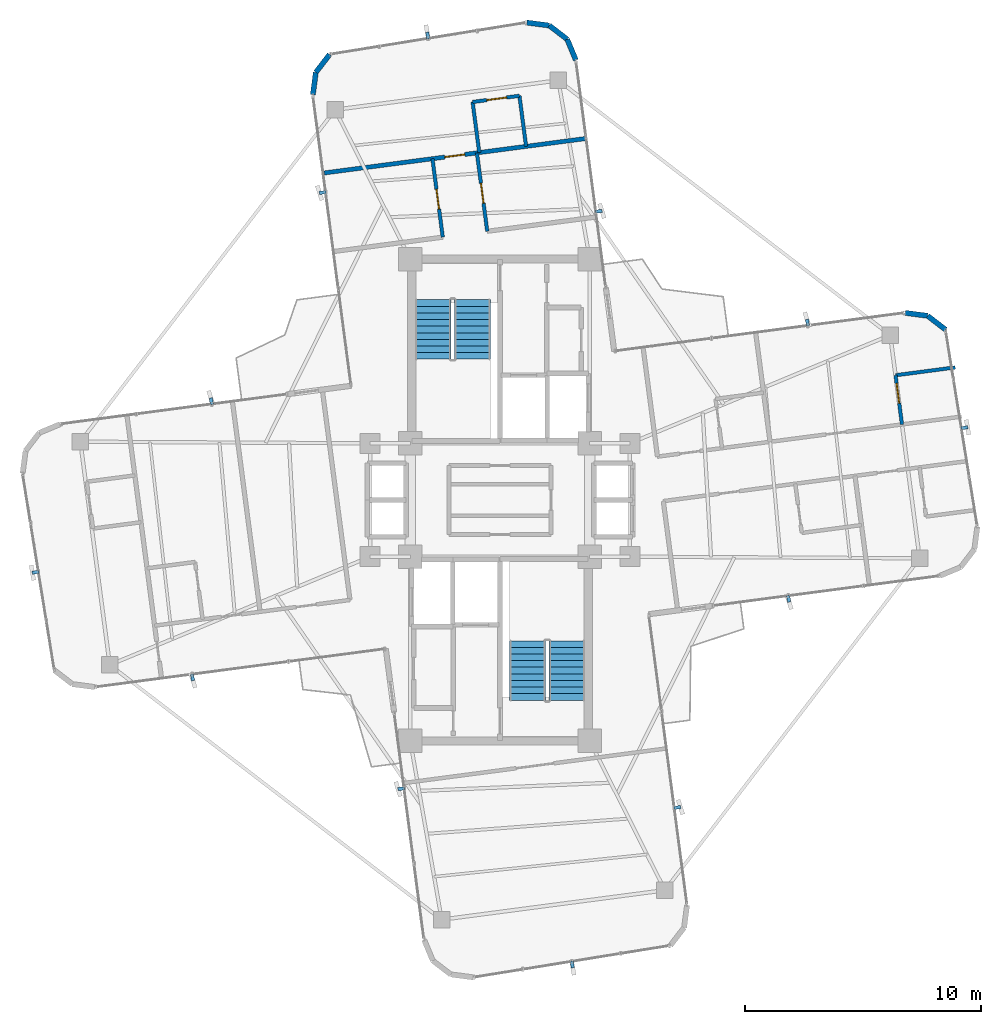
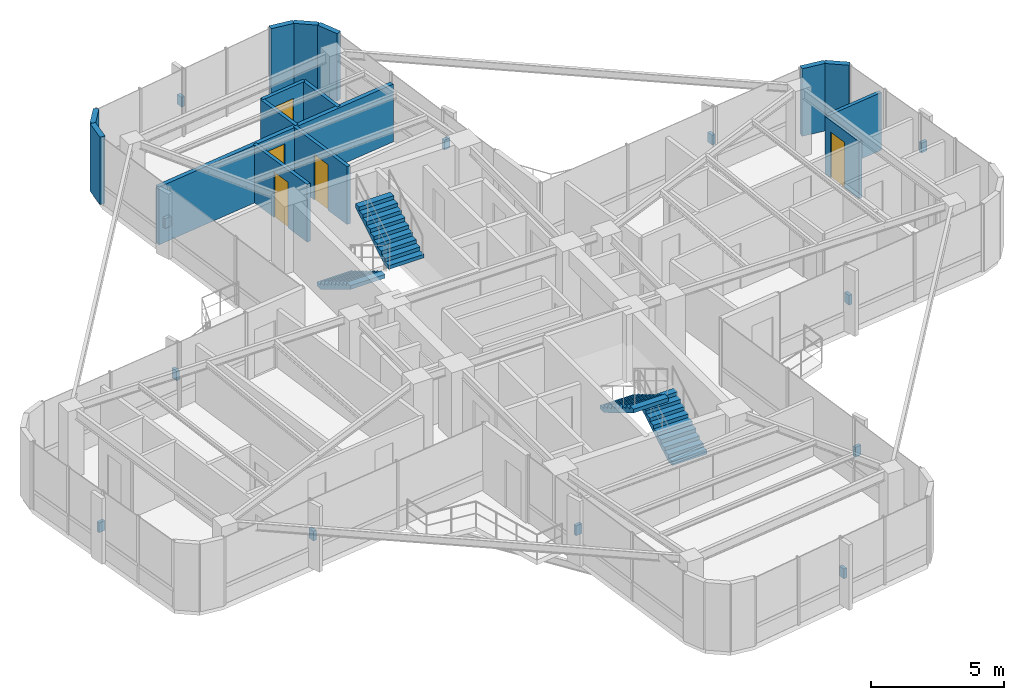
# One storey, part 21 of 22: 15 walls, 12 discrete accessories, 5 doors, 4 stair flights, 5 openings, 2 elements without a shape of their own.
"""IFC4 building model written with IfcOpenShell, lengths in metres."""

from ifc_helpers import new_model, si_unit, direction, frame, frame_2d, origin, origin_2d, place, context, subcontext, project, spatial, polyline, rectangle, outline, extrude, source, transform, mapped, material, layer, layer_set, type_object, element, fill, aggregate, save


model = new_model("IFC4")

# Units and contexts
model_context = context("Model", 3, precision=1e-05, world=origin(), true_north=direction((0.0, 1.0)))
body_context = subcontext(model_context, "Body", "Model", "MODEL_VIEW")
ifc_project = project(units=[si_unit("LENGTHUNIT", "METRE"), si_unit("AREAUNIT", "SQUARE_METRE"), si_unit("VOLUMEUNIT", "CUBIC_METRE"), si_unit("PLANEANGLEUNIT", "RADIAN"), si_unit("MASSUNIT", "GRAM", prefix="KILO")], contexts=[model_context])

# Site, building, storey
site_placement = place(None, origin())
site = spatial("IfcSite", under=ifc_project, at=site_placement, CompositionType="ELEMENT")
building_placement = place(site_placement, origin())
building = spatial("IfcBuilding", under=site, at=building_placement, Name="Sahyath Konkavel Grand Hotel", CompositionType="ELEMENT")
storey_placement = place(building_placement, frame((0.0, 0.0, 244.5)))
storey = spatial("IfcBuildingStorey", under=building, at=storey_placement, Name="L68", CompositionType="ELEMENT", Elevation=244.5)

# Walls
ifc_material_1 = material(Name="Warm Buff Sandstone Insulated Concrete C40/50", Category="masonry")
ifc_layer_1 = layer(ifc_material_1, 0.219970703125)
ifc_layer_set_1 = layer_set([ifc_layer_1], Name="Warm Buff Sandstone Insulated Concrete C40/50")
wall_type_1 = type_object("IfcWallType", Name="WLL-BALC-THRESH", PredefinedType="STANDARD", material=ifc_layer_set_1)
for number, where, z_axis, x_axis, name in (
    (1, (18.86474609375, 7.216064453125, 0.0), (0.0, 0.0, 1.0), (-0.793343685778, 0.608774010809, 0.0), "L68 Rounded Corner Sandstone Pier 5"),
    (2, (18.10498046875, 7.799072265625, 0.0), (0.0, 0.0, 1.0), (-0.991444747987, 0.130527053476, 0.0), "L68 Rounded Corner Sandstone Pier 6"),
    (3, (3.2138671875, 18.621826171875, 0.0), (0.0, 0.0, 1.0), (-0.382659506909, 0.923889442397, 0.0), "L68 Rounded Corner Sandstone Pier 9"),
    (4, (2.847412109375, 19.506591796875, 0.0), (0.0, 0.0, 1.0), (-0.793343685778, 0.608774010809, 0.0), "L68 Rounded Corner Sandstone Pier 10"),
    (5, (2.087646484375, 20.089599609375, 0.0), (0.0, 0.0, 1.0), (-0.991444747987, 0.130527053476, 0.0), "L68 Rounded Corner Sandstone Pier 11"),
    (6, (-7.216064453125, 18.86474609375, 0.0), (0.0, 0.0, 1.0), (-0.608774010809, -0.793343685778, 0.0), "L68 Rounded Corner Sandstone Pier 13"),
    (7, (-7.799072265625, 18.10498046875, 0.0), (0.0, 0.0, 1.0), (-0.130527053476, -0.991444747987, 0.0), "L68 Rounded Corner Sandstone Pier 14"),
):
    element("IfcWall", number, at=place(storey_placement, frame(where, z_axis=z_axis, x_axis=x_axis)), inside=storey, type_object=wall_type_1, Name=name, PredefinedType="STANDARD", context=body_context, shape_type="SweptSolid", body=[
        extrude(rectangle(XDim=0.957763671875, YDim=0.219970703125, at=frame_2d((0.47900390625, 0.0))), origin(), (0.0, 0.0, 1.0), 3.110107421875),
    ])

# Wall, opening, door
ifc_material_2 = material(Name="Twin-Stud Acoustic Gypsum Plasterboard Partition")
ifc_layer_2 = layer(ifc_material_2, 0.179931640625)
ifc_layer_set_2 = layer_set([ifc_layer_2], Name="Twin-Stud Acoustic Gypsum Plasterboard Partition")
wall_type_2 = type_object("IfcWallType", Name="WLL-DEMISE-180", PredefinedType="PARTITIONING", material=ifc_layer_set_2)
wall_1_placement = place(storey_placement, frame((3.6005859375, 15.30078125, 0.0), z_axis=(0.0, 0.0, 1.0), x_axis=(-0.991446382373, -0.130514638561, 0.0)))
wall_1 = element("IfcWall", 8, at=wall_1_placement, inside=storey, type_object=wall_type_2, Name="L68 Partition N-NTIP-END", PredefinedType="PARTITIONING", context=body_context, shape_type="SweptSolid", body=[
    extrude(rectangle(XDim=11.1337890625, YDim=0.179931640625, at=frame_2d((5.56689453125, 0.0))), origin(), (0.0, 0.0, 1.0), 2.659912109375),
])
opening_1_placement = place(wall_1_placement, frame((5.14208984375, 0.0, 0.0)))
opening_1 = element("IfcOpeningElement", 9, at=opening_1_placement, cuts=wall_1, Name="Opening D-F06D", PredefinedType="OPENING", context=body_context, shape_type="SweptSolid", body=[
    extrude(rectangle(XDim=0.85009765625, YDim=2.10009765625, at=frame_2d((0.425048828125, 1.050048828125))), frame((0.0, 0.10009765625, 0.0), z_axis=(0.0, -1.0, 0.0), x_axis=(1.0, 0.0, 0.0)), (0.0, 0.0, 1.0), 0.199951171875),
])
ifc_material_3 = material(Name="Fire-Rated Shaft Access Door")
door_type_1 = type_object("IfcDoorType", Name="DR-FD60-850", OperationType="NOTDEFINED", PredefinedType="DOOR", material=ifc_material_3)
shared_shape_1 = source(origin(), body_context, "Body", "SweptSolid", [
    extrude(rectangle(XDim=0.85009765625, YDim=0.050048828125, at=origin_2d()), origin(), (0.0, 0.0, 1.0), 2.10009765625),
])
door_1_placement = place(opening_1_placement, frame((0.425048828125, 0.0, 0.0)))
door_1 = element("IfcDoor", 10, at=door_1_placement, inside=storey, type_object=door_type_1, Name="L68 Door N-NTIP-ED", OperationType="SINGLE_SWING_RIGHT", OverallHeight=2.10009765625, OverallWidth=0.85009765625, PredefinedType="DOOR", context=body_context, shape_type="MappedRepresentation", body=[
    mapped(shared_shape_1, transform((0.0, 0.0, 0.0), scale=1.0)),
])
fill(opening_1, door_1)

ifc_material_4 = material(Name="Fire-Rated Gypsum Plasterboard Partition")
ifc_layer_3 = layer(ifc_material_4, 0.14990234375)
ifc_layer_set_3 = layer_set([ifc_layer_3], Name="Fire-Rated Gypsum Plasterboard Partition")
wall_type_3 = type_object("IfcWallType", Name="WLL-PART-150", PredefinedType="PARTITIONING", material=ifc_layer_set_3)
wall_2_placement = place(storey_placement, frame((17.02099609375, 3.19921875, 0.0), z_axis=(0.0, 0.0, 1.0), x_axis=(-0.130457520295, 0.991453899785, 0.0)))
wall_2 = element("IfcWall", 11, at=wall_2_placement, inside=storey, type_object=wall_type_3, Name="L68 Partition E-E2L-BS", PredefinedType="PARTITIONING", context=body_context, shape_type="SweptSolid", body=[
    extrude(rectangle(XDim=2.099853515625, YDim=0.14990234375, at=frame_2d((1.0498046875, 0.0))), origin(), (0.0, 0.0, 1.0), 2.6298828125),
])
opening_2_placement = place(wall_2_placement, frame((0.89990234375, 0.0, 0.0)))
opening_2 = element("IfcOpeningElement", 12, at=opening_2_placement, cuts=wall_2, Name="Opening D-BT85", PredefinedType="OPENING", context=body_context, shape_type="SweptSolid", body=[
    extrude(rectangle(XDim=0.85009765625, YDim=2.10009765625, at=frame_2d((0.425048828125, 1.050048828125))), frame((0.0, 0.0849609375, 0.0), z_axis=(0.0, -1.0, 0.0), x_axis=(1.0, 0.0, 0.0)), (0.0, 0.0, 1.0), 0.169921875),
])
ifc_material_5 = material(Name="Moisture-Resistant Teak Bathroom Door")
door_type_2 = type_object("IfcDoorType", Name="DR-BATH-850", OperationType="NOTDEFINED", PredefinedType="DOOR", material=ifc_material_5)
door_2_placement = place(opening_2_placement, frame((0.425048828125, 0.0, 0.0)))
door_2 = element("IfcDoor", 13, at=door_2_placement, inside=storey, type_object=door_type_2, Name="L68 Door E-E2L-BD", OperationType="SINGLE_SWING_LEFT", OverallHeight=2.10009765625, OverallWidth=0.85009765625, PredefinedType="DOOR", context=body_context, shape_type="MappedRepresentation", body=[
    mapped(shared_shape_1, transform((0.0, 0.0, 0.0), scale=1.0)),
])
fill(opening_2, door_2)

# Wall
wall_3_placement = place(storey_placement, frame((16.7470703125, 5.281005859375, 0.0), z_axis=(0.0, 0.0, 1.0), x_axis=(0.99143571012, 0.130595684076, 0.0)))
element("IfcWall", 14, at=wall_3_placement, inside=storey, type_object=wall_type_3, Name="L68 Partition E-E2L-BF", PredefinedType="PARTITIONING", context=body_context, shape_type="SweptSolid", body=[
    extrude(rectangle(XDim=2.5498046875, YDim=0.14990234375, at=frame_2d((1.27490234375, 0.0))), origin(), (0.0, 0.0, 1.0), 2.659912109375),
])

# Wall, opening, door
wall_4_placement = place(storey_placement, frame((-2.42333984375, 11.12890625, 0.0), z_axis=(0.0, 0.0, 1.0), x_axis=(-0.130526150873, 0.991444866817, 0.0)))
wall_4 = element("IfcWall", 15, at=wall_4_placement, inside=storey, type_object=wall_type_3, Name="L68 Partition N-CL", PredefinedType="PARTITIONING", context=body_context, shape_type="SweptSolid", body=[
    extrude(rectangle(XDim=3.349853515625, YDim=0.14990234375, at=frame_2d((1.6748046875, 0.0))), origin(), (0.0, 0.0, 1.0), 2.659912109375),
])
opening_3_placement = place(wall_4_placement, frame((1.199951171875, 0.0, 0.0)))
opening_3 = element("IfcOpeningElement", 16, at=opening_3_placement, cuts=wall_4, Name="Opening D-F06D", PredefinedType="OPENING", context=body_context, shape_type="SweptSolid", body=[
    extrude(rectangle(XDim=0.85009765625, YDim=2.10009765625, at=frame_2d((0.425048828125, 1.050048828125))), frame((0.0, 0.0849609375, 0.0), z_axis=(0.0, -1.0, 0.0), x_axis=(1.0, 0.0, 0.0)), (0.0, 0.0, 1.0), 0.169921875),
])
door_3_placement = place(opening_3_placement, frame((0.425048828125, 0.0, 0.0)))
door_3 = element("IfcDoor", 17, at=door_3_placement, inside=storey, type_object=door_type_1, Name="L68 Door N-NS3L-D", OperationType="SINGLE_SWING_LEFT", OverallHeight=2.10009765625, OverallWidth=0.85009765625, PredefinedType="DOOR", context=body_context, shape_type="MappedRepresentation", body=[
    mapped(shared_shape_1, transform((0.0, 0.0, 0.0), scale=1.0)),
])
fill(opening_3, door_3)

wall_5_placement = place(storey_placement, frame((-0.53955078125, 11.376953125, 0.0), z_axis=(0.0, 0.0, 1.0), x_axis=(-0.130526150873, 0.991444866817, 0.0)))
wall_5 = element("IfcWall", 18, at=wall_5_placement, inside=storey, type_object=wall_type_3, Name="L68 Partition N-CR", PredefinedType="PARTITIONING", context=body_context, shape_type="SweptSolid", body=[
    extrude(rectangle(XDim=3.349853515625, YDim=0.14990234375, at=frame_2d((1.6748046875, 0.0))), origin(), (0.0, 0.0, 1.0), 2.659912109375),
])
opening_4_placement = place(wall_5_placement, frame((1.199951171875, 0.0, 0.0)))
opening_4 = element("IfcOpeningElement", 19, at=opening_4_placement, cuts=wall_5, Name="Opening D-F06D", PredefinedType="OPENING", context=body_context, shape_type="SweptSolid", body=[
    extrude(rectangle(XDim=0.85009765625, YDim=2.10009765625, at=frame_2d((0.425048828125, 1.050048828125))), frame((0.0, 0.0849609375, 0.0), z_axis=(0.0, -1.0, 0.0), x_axis=(1.0, 0.0, 0.0)), (0.0, 0.0, 1.0), 0.169921875),
])
door_4_placement = place(opening_4_placement, frame((0.425048828125, 0.0, 0.0)))
door_4 = element("IfcDoor", 20, at=door_4_placement, inside=storey, type_object=door_type_1, Name="L68 Door N-NS3R-D", OperationType="SINGLE_SWING_RIGHT", OverallHeight=2.10009765625, OverallWidth=0.85009765625, PredefinedType="DOOR", context=body_context, shape_type="MappedRepresentation", body=[
    mapped(shared_shape_1, transform((0.0, 0.0, 0.0), scale=1.0)),
])
fill(opening_4, door_4)

# Walls
for number, where, z_axis, x_axis, name in (
    (21, (-0.877685546875, 14.711181640625, 0.0), (0.0, 0.0, 1.0), (-0.130542222659, 0.991442750795, 0.0), "L68 Partition N-NTIP-BN"),
    (22, (1.105224609375, 14.972412109375, 0.0), (0.0, 0.0, 1.0), (-0.130542222659, 0.991442750795, 0.0), "L68 Partition N-NTIP-BS"),
):
    element("IfcWall", number, at=place(storey_placement, frame(where, z_axis=z_axis, x_axis=x_axis)), inside=storey, type_object=wall_type_3, Name=name, PredefinedType="PARTITIONING", context=body_context, shape_type="SweptSolid", body=[
        extrude(rectangle(XDim=2.16015625, YDim=0.14990234375, at=frame_2d((1.080078125, 0.0))), origin(), (0.0, 0.0, 1.0), 2.659912109375),
    ])

# Wall, opening, door
wall_6_placement = place(storey_placement, frame((0.8232421875, 17.114013671875, 0.0), z_axis=(0.0, 0.0, 1.0), x_axis=(-0.991433509034, -0.130612392842, 0.0)))
wall_6 = element("IfcWall", 23, at=wall_6_placement, inside=storey, type_object=wall_type_3, Name="L68 Partition N-NTIP-BE", PredefinedType="PARTITIONING", context=body_context, shape_type="SweptSolid", body=[
    extrude(rectangle(XDim=2.0, YDim=0.14990234375, at=frame_2d((1.0, 0.0))), origin(), (0.0, 0.0, 1.0), 2.659912109375),
])
opening_5_placement = place(wall_6_placement, frame((0.550048828125, 0.0, 0.0)))
opening_5 = element("IfcOpeningElement", 24, at=opening_5_placement, cuts=wall_6, Name="Opening D-BT85", PredefinedType="OPENING", context=body_context, shape_type="SweptSolid", body=[
    extrude(rectangle(XDim=0.85009765625, YDim=2.10009765625, at=frame_2d((0.425048828125, 1.050048828125))), frame((0.0, 0.0849609375, 0.0), z_axis=(0.0, -1.0, 0.0), x_axis=(1.0, 0.0, 0.0)), (0.0, 0.0, 1.0), 0.169921875),
])
door_5_placement = place(opening_5_placement, frame((0.425048828125, 0.0, 0.0)))
door_5 = element("IfcDoor", 25, at=door_5_placement, inside=storey, type_object=door_type_2, Name="L68 Door N-NTIP-BD", OperationType="SINGLE_SWING_LEFT", OverallHeight=2.10009765625, OverallWidth=0.85009765625, PredefinedType="DOOR", context=body_context, shape_type="MappedRepresentation", body=[
    mapped(shared_shape_1, transform((0.0, 0.0, 0.0), scale=1.0)),
])
fill(opening_5, door_5)

# Stair, stair flights
ifc_material_6 = material(Name="Concrete C40/50", Category="concrete")
stair_type = type_object("IfcStairType", Name="STR-ST16-335", PredefinedType="HALF_TURN_STAIR", material=ifc_material_6)
stair_1_placement = place(storey_placement, origin())
stair_1 = element("IfcStair", 26, at=stair_1_placement, inside=storey, type_object=stair_type, Name="L68 North Core Smokeproof Exit Stair ST-1", PredefinedType="HALF_TURN_STAIR")
stair_flight_type = type_object("IfcStairFlightType", Name="STF-ST16-335", PredefinedType="STRAIGHT", material=ifc_material_6)
stair_flight_1_placement = place(storey_placement, frame((-2.840087890625, 8.47998046875, 0.0), z_axis=(0.0, 0.0, 1.0), x_axis=(0.0, -1.0, 0.0)))
stair_flight_1 = element("IfcStairFlight", 27, at=stair_flight_1_placement, type_object=stair_flight_type, Name="ST-1 flight 1", NumberOfRisers=10, NumberOfTreads=9, PredefinedType="STRAIGHT", RiserHeight=0.1675, TreadLength=0.28, context=body_context, shape_type="SweptSolid", body=[
    extrude(outline(polyline([(0.0, 0.0), (0.0, 0.16748046875), (0.280029296875, 0.16748046875), (0.280029296875, 0.3349609375), (0.56005859375, 0.3349609375), (0.56005859375, 0.50244140625), (0.840087890625, 0.50244140625), (0.840087890625, 0.669921875), (1.1201171875, 0.669921875), (1.1201171875, 0.83740234375), (1.39990234375, 0.83740234375), (1.39990234375, 1.0048828125), (1.679931640625, 1.0048828125), (1.679931640625, 1.172607421875), (1.9599609375, 1.172607421875), (1.9599609375, 1.340087890625), (2.239990234375, 1.340087890625), (2.239990234375, 1.507568359375), (2.52001953125, 1.507568359375), (2.52001953125, 1.675048828125), (2.52001953125, 1.332763671875), (0.2919921875, 0.0), (0.0, 0.0)])), frame((0.0, 0.760009765625, 0.0), z_axis=(0.0, -1.0, 0.0), x_axis=(1.0, 0.0, 0.0)), (0.0, 0.0, 1.0), 1.52001953125),
])
stair_flight_2_placement = place(storey_placement, frame((-1.159912109375, 5.9599609375, 1.675048828125), z_axis=(0.0, 0.0, 1.0), x_axis=(0.0, 1.0, 0.0)))
stair_flight_2 = element("IfcStairFlight", 28, at=stair_flight_2_placement, type_object=stair_flight_type, Name="ST-1 flight 2", NumberOfRisers=10, NumberOfTreads=9, PredefinedType="STRAIGHT", RiserHeight=0.1675, TreadLength=0.28, context=body_context, shape_type="SweptSolid", body=[
    extrude(outline(polyline([(0.0, 0.0), (0.0, 0.16748046875), (0.280029296875, 0.16748046875), (0.280029296875, 0.3349609375), (0.56005859375, 0.3349609375), (0.56005859375, 0.50244140625), (0.840087890625, 0.50244140625), (0.840087890625, 0.669921875), (1.1201171875, 0.669921875), (1.1201171875, 0.83740234375), (1.39990234375, 0.83740234375), (1.39990234375, 1.0048828125), (1.679931640625, 1.0048828125), (1.679931640625, 1.172607421875), (1.9599609375, 1.172607421875), (1.9599609375, 1.340087890625), (2.239990234375, 1.340087890625), (2.239990234375, 1.507568359375), (2.52001953125, 1.507568359375), (2.52001953125, 1.675048828125), (2.52001953125, 1.332763671875), (0.2919921875, 0.0), (0.0, 0.0)])), frame((0.0, 0.760009765625, 0.0), z_axis=(0.0, -1.0, 0.0), x_axis=(1.0, 0.0, 0.0)), (0.0, 0.0, 1.0), 1.52001953125),
])
aggregate(stair_1, [stair_flight_1, stair_flight_2])

stair_2_placement = place(storey_placement, origin())
stair_2 = element("IfcStair", 29, at=stair_2_placement, inside=storey, type_object=stair_type, Name="L68 South Core Smokeproof Exit Stair ST-2", PredefinedType="HALF_TURN_STAIR")
stair_flight_3_placement = place(storey_placement, frame((2.840087890625, -8.47998046875, 0.0), z_axis=(0.0, 0.0, 1.0), x_axis=(0.0, 1.0, 0.0)))
stair_flight_3 = element("IfcStairFlight", 30, at=stair_flight_3_placement, type_object=stair_flight_type, Name="ST-2 flight 1", NumberOfRisers=10, NumberOfTreads=9, PredefinedType="STRAIGHT", RiserHeight=0.1675, TreadLength=0.28, context=body_context, shape_type="SweptSolid", body=[
    extrude(outline(polyline([(0.0, 0.0), (0.0, 0.16748046875), (0.280029296875, 0.16748046875), (0.280029296875, 0.3349609375), (0.56005859375, 0.3349609375), (0.56005859375, 0.50244140625), (0.840087890625, 0.50244140625), (0.840087890625, 0.669921875), (1.1201171875, 0.669921875), (1.1201171875, 0.83740234375), (1.39990234375, 0.83740234375), (1.39990234375, 1.0048828125), (1.679931640625, 1.0048828125), (1.679931640625, 1.172607421875), (1.9599609375, 1.172607421875), (1.9599609375, 1.340087890625), (2.239990234375, 1.340087890625), (2.239990234375, 1.507568359375), (2.52001953125, 1.507568359375), (2.52001953125, 1.675048828125), (2.52001953125, 1.332763671875), (0.2919921875, 0.0), (0.0, 0.0)])), frame((0.0, 0.760009765625, 0.0), z_axis=(0.0, -1.0, 0.0), x_axis=(1.0, 0.0, 0.0)), (0.0, 0.0, 1.0), 1.52001953125),
])
stair_flight_4_placement = place(storey_placement, frame((1.159912109375, -5.9599609375, 1.675048828125), z_axis=(0.0, 0.0, 1.0), x_axis=(0.0, -1.0, 0.0)))
stair_flight_4 = element("IfcStairFlight", 31, at=stair_flight_4_placement, type_object=stair_flight_type, Name="ST-2 flight 2", NumberOfRisers=10, NumberOfTreads=9, PredefinedType="STRAIGHT", RiserHeight=0.1675, TreadLength=0.28, context=body_context, shape_type="SweptSolid", body=[
    extrude(outline(polyline([(0.0, 0.0), (0.0, 0.16748046875), (0.280029296875, 0.16748046875), (0.280029296875, 0.3349609375), (0.56005859375, 0.3349609375), (0.56005859375, 0.50244140625), (0.840087890625, 0.50244140625), (0.840087890625, 0.669921875), (1.1201171875, 0.669921875), (1.1201171875, 0.83740234375), (1.39990234375, 0.83740234375), (1.39990234375, 1.0048828125), (1.679931640625, 1.0048828125), (1.679931640625, 1.172607421875), (1.9599609375, 1.172607421875), (1.9599609375, 1.340087890625), (2.239990234375, 1.340087890625), (2.239990234375, 1.507568359375), (2.52001953125, 1.507568359375), (2.52001953125, 1.675048828125), (2.52001953125, 1.332763671875), (0.2919921875, 0.0), (0.0, 0.0)])), frame((0.0, 0.760009765625, 0.0), z_axis=(0.0, -1.0, 0.0), x_axis=(1.0, 0.0, 0.0)), (0.0, 0.0, 1.0), 1.52001953125),
])
aggregate(stair_2, [stair_flight_3, stair_flight_4])

# Discrete accessories
ifc_material_7 = material(Name="Steel E350", Category="steel")
discrete_accessory_type = type_object("IfcDiscreteAccessoryType", Name="ACC-FIN-BRACKET", PredefinedType="BRACKET", material=ifc_material_7)
shared_shape_2 = source(origin(), body_context, "Body", "SweptSolid", [
    extrude(rectangle(XDim=0.280029296875, YDim=0.139892578125, at=origin_2d()), origin(), (0.0, 0.0, 1.0), 0.449951171875),
])
for number, where, z_axis, x_axis, name in (
    (32, (12.223388671875, -4.1875, 1.330078125), (0.0, 0.0, 1.0), (0.13052619222, -0.991444861374, 0.0), "L68 Fin Support Bracket F0-1"),
    (33, (19.66796875, 3.0595703125, 1.330078125), (0.0, 0.0, 1.0), (0.987197582271, 0.159502142799, 0.0), "L68 Fin Support Bracket F4-2"),
    (34, (13.018798828125, 7.510498046875, 1.330078125), (0.0, 0.0, 1.0), (-0.13052619222, 0.991444861374, 0.0), "L68 Fin Support Bracket F7-1"),
    (35, (4.1875, 12.223388671875, 1.330078125), (0.0, 0.0, 1.0), (0.991444861374, 0.13052619222, 0.0), "L68 Fin Support Bracket F8-1"),
    (36, (-3.0595703125, 19.66796875, 1.330078125), (0.0, 0.0, 1.0), (-0.159502142799, 0.987197582271, 0.0), "L68 Fin Support Bracket F12-2"),
    (37, (-7.510498046875, 13.018798828125, 1.330078125), (0.0, 0.0, 1.0), (-0.991444861374, -0.13052619222, 0.0), "L68 Fin Support Bracket F15-1"),
    (38, (-12.223388671875, 4.1875, 1.330078125), (0.0, 0.0, 1.0), (-0.13052619222, 0.991444861374, 0.0), "L68 Fin Support Bracket F16-1"),
    (39, (-19.66796875, -3.0595703125, 1.330078125), (0.0, 0.0, 1.0), (-0.987197582271, -0.159502142799, 0.0), "L68 Fin Support Bracket F20-2"),
    (40, (-13.018798828125, -7.510498046875, 1.330078125), (0.0, 0.0, 1.0), (0.13052619222, -0.991444861374, 0.0), "L68 Fin Support Bracket F23-1"),
    (41, (-4.1875, -12.223388671875, 1.330078125), (0.0, 0.0, 1.0), (-0.991444861374, -0.13052619222, 0.0), "L68 Fin Support Bracket F24-1"),
    (42, (3.0595703125, -19.66796875, 1.330078125), (0.0, 0.0, 1.0), (0.159502142799, -0.987197582271, 0.0), "L68 Fin Support Bracket F28-2"),
    (43, (7.510498046875, -13.018798828125, 1.330078125), (0.0, 0.0, 1.0), (0.991444861374, 0.13052619222, 0.0), "L68 Fin Support Bracket F31-1"),
):
    element("IfcDiscreteAccessory", number, at=place(storey_placement, frame(where, z_axis=z_axis, x_axis=x_axis)), inside=storey, type_object=discrete_accessory_type, Name=name, PredefinedType="BRACKET", context=body_context, shape_type="MappedRepresentation", body=[
        mapped(shared_shape_2, transform((0.0, 0.0, 0.0), scale=1.0)),
    ])

save(model, "model.ifc")
